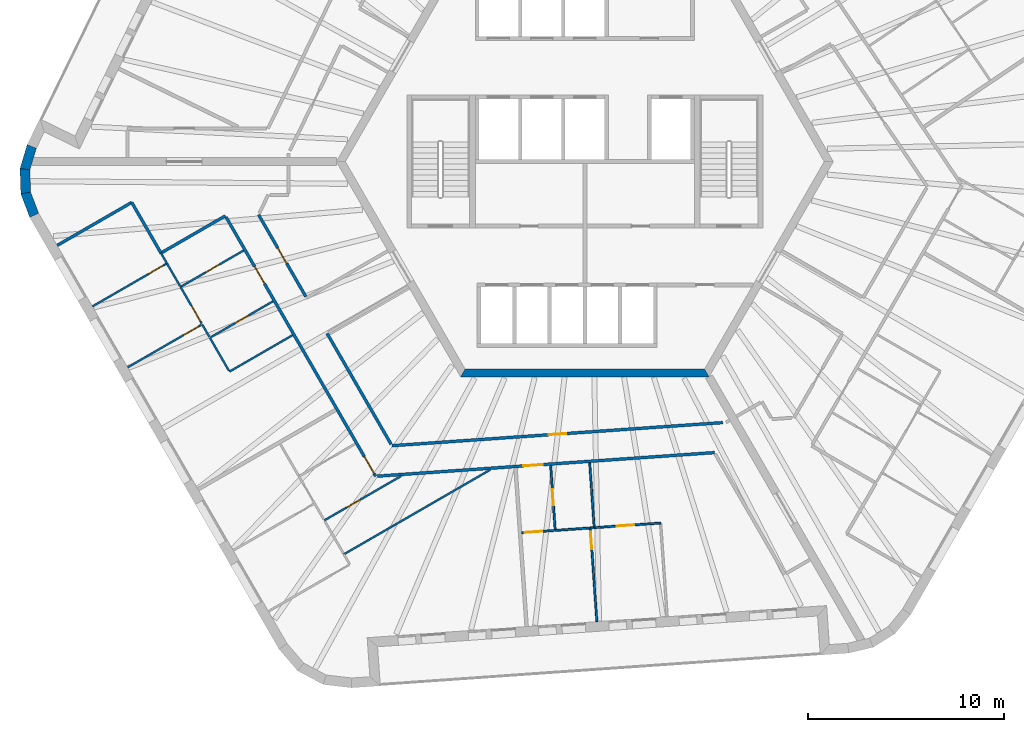
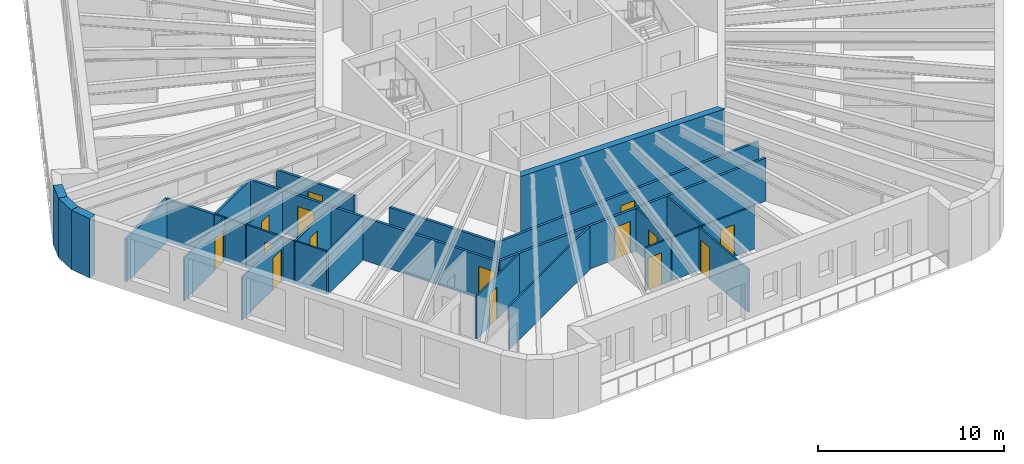
# One storey, part 4 of 12: 31 walls, 15 doors, 15 openings.
"""IFC4 building model written with IfcOpenShell, lengths in metres."""

from ifc_helpers import new_model, si_unit, direction, frame, frame_2d, origin, place, context, subcontext, project, spatial, polyline, rectangle, outline, extrude, material, layer, layer_set, type_object, element, fill, save


model = new_model("IFC4")

# Units and contexts
model_context = context("Model", 3, precision=1e-05, world=origin(), true_north=direction((0.0, 1.0)))
body_context = subcontext(model_context, "Body", "Model", "MODEL_VIEW")
ifc_project = project(units=[si_unit("LENGTHUNIT", "METRE"), si_unit("AREAUNIT", "SQUARE_METRE"), si_unit("VOLUMEUNIT", "CUBIC_METRE"), si_unit("PLANEANGLEUNIT", "RADIAN"), si_unit("MASSUNIT", "GRAM", prefix="KILO")], contexts=[model_context])

# Site, building, storey
site_placement = place(None, origin())
site = spatial("IfcSite", under=ifc_project, at=site_placement, CompositionType="ELEMENT")
building_placement = place(site_placement, origin())
building = spatial("IfcBuilding", under=site, at=building_placement, Name="Tarnside Tower", CompositionType="ELEMENT")
storey_placement = place(building_placement, frame((0.0, 0.0, 264.0)))
storey = spatial("IfcBuildingStorey", under=building, at=storey_placement, Name="L63", CompositionType="ELEMENT", Elevation=264.0)

# Walls
ifc_material_1 = material(Name="Gypsum board partition on steel studs", Category="steel")
ifc_layer_1 = layer(ifc_material_1, 0.10009765625)
ifc_layer_set_1 = layer_set([ifc_layer_1], Name="Bathroom wall 100")
wall_type_1 = type_object("IfcWallType", Name="Bathroom wall 100", PredefinedType="PARTITIONING", material=ifc_layer_set_1)
wall_1_placement = place(storey_placement, frame((-14.940185546875, -8.872802734375, 0.0), z_axis=(0.0, 0.0, 1.0), x_axis=(-0.866056803351, -0.499945610411, 0.0)))
element("IfcWall", 1, at=wall_1_placement, inside=storey, type_object=wall_type_1, Name="Bathroom wall 20109", PredefinedType="PARTITIONING", context=body_context, shape_type="SweptSolid", body=[
    extrude(rectangle(XDim=3.72509765625, YDim=0.10009765625, at=frame_2d((1.862548828125, 0.0))), origin(), (0.0, 0.0, 1.0), 2.823486328125),
])
wall_2_placement = place(storey_placement, frame((-18.191162109375, -10.69189453125, 0.0), z_axis=(0.0, 0.0, 1.0), x_axis=(-0.500043961785, 0.866000020948, 0.0)))
element("IfcWall", 2, at=wall_2_placement, inside=storey, type_object=wall_type_1, Name="Bathroom wall 20110", PredefinedType="PARTITIONING", context=body_context, shape_type="SweptSolid", body=[
    extrude(rectangle(XDim=1.949951171875, YDim=0.10009765625, at=frame_2d((0.97509765625, 0.0))), origin(), (0.0, 0.0, 1.0), 2.823486328125),
])

# Wall, opening, door
wall_3_placement = place(storey_placement, frame((-17.440185546875, -4.54248046875, 0.0), z_axis=(0.0, 0.0, 1.0), x_axis=(-0.866028424924, -0.499994767197, 0.0)))
wall_3 = element("IfcWall", 3, at=wall_3_placement, inside=storey, type_object=wall_type_1, Name="Bathroom wall 20113", PredefinedType="PARTITIONING", context=body_context, shape_type="SweptSolid", body=[
    extrude(rectangle(XDim=3.72509765625, YDim=0.10009765625, at=frame_2d((1.862548828125, 0.0))), origin(), (0.0, 0.0, 1.0), 2.823486328125),
])
opening_1_placement = place(wall_3_placement, frame((1.425048828125, 0.0, 0.0)))
opening_1 = element("IfcOpeningElement", 4, at=opening_1_placement, cuts=wall_3, Name="Opening D-B1", PredefinedType="OPENING", context=body_context, shape_type="SweptSolid", body=[
    extrude(rectangle(XDim=0.800048828125, YDim=2.10009765625, at=frame_2d((0.39990234375, 1.050048828125))), frame((0.0, 0.06005859375, 0.0), z_axis=(0.0, -1.0, 0.0), x_axis=(1.0, 0.0, 0.0)), (0.0, 0.0, 1.0), 0.1201171875),
])
ifc_material_2 = material(Name="Timber door leaf", Category="wood")
door_type_1 = type_object("IfcDoorType", Name="Bathroom door 800", OperationType="NOTDEFINED", PredefinedType="DOOR", material=ifc_material_2)
door_1_placement = place(opening_1_placement, origin())
door_1 = element("IfcDoor", 5, at=door_1_placement, inside=storey, type_object=door_type_1, Name="Bathroom door 20022", OperationType="SINGLE_SWING_RIGHT", OverallHeight=2.10009765625, OverallWidth=0.800048828125, PredefinedType="DOOR", context=body_context, shape_type="SweptSolid", body=[
    extrude(rectangle(XDim=0.800048828125, YDim=2.10009765625, at=frame_2d((0.39990234375, 1.050048828125))), frame((0.0, 0.02490234375, 0.0), z_axis=(0.0, -1.0, 0.0), x_axis=(1.0, 0.0, 0.0)), (0.0, 0.0, 1.0), 0.050048828125),
])
fill(opening_1, door_1)

wall_4_placement = place(storey_placement, frame((-19.122802734375, -8.978271484375, 0.0), z_axis=(0.0, 0.0, 1.0), x_axis=(0.866006363297, 0.500032977642, 0.0)))
wall_4 = element("IfcWall", 6, at=wall_4_placement, inside=storey, type_object=wall_type_1, Name="Bathroom wall 20115", PredefinedType="PARTITIONING", context=body_context, shape_type="SweptSolid", body=[
    extrude(rectangle(XDim=3.675048828125, YDim=0.10009765625, at=frame_2d((1.83740234375, 0.0))), origin(), (0.0, 0.0, 1.0), 2.823486328125),
])
opening_2_placement = place(wall_4_placement, frame((1.449951171875, 0.0, 0.0)))
opening_2 = element("IfcOpeningElement", 7, at=opening_2_placement, cuts=wall_4, Name="Opening D-B1", PredefinedType="OPENING", context=body_context, shape_type="SweptSolid", body=[
    extrude(rectangle(XDim=0.800048828125, YDim=2.10009765625, at=frame_2d((0.39990234375, 1.050048828125))), frame((0.0, 0.06005859375, 0.0), z_axis=(0.0, -1.0, 0.0), x_axis=(1.0, 0.0, 0.0)), (0.0, 0.0, 1.0), 0.1201171875),
])
door_2_placement = place(opening_2_placement, origin())
door_2 = element("IfcDoor", 8, at=door_2_placement, inside=storey, type_object=door_type_1, Name="Bathroom door 20031", OperationType="SINGLE_SWING_LEFT", OverallHeight=2.10009765625, OverallWidth=0.800048828125, PredefinedType="DOOR", context=body_context, shape_type="SweptSolid", body=[
    extrude(rectangle(XDim=0.800048828125, YDim=2.10009765625, at=frame_2d((0.39990234375, 1.050048828125))), frame((0.0, 0.02490234375, 0.0), z_axis=(0.0, -1.0, 0.0), x_axis=(1.0, 0.0, 0.0)), (0.0, 0.0, 1.0), 0.050048828125),
])
fill(opening_2, door_2)

# Walls
wall_5_placement = place(storey_placement, frame((-21.667236328125, -4.67138671875, 0.0), z_axis=(0.0, 0.0, 1.0), x_axis=(0.499952348839, -0.866052913447, 0.0)))
element("IfcWall", 9, at=wall_5_placement, inside=storey, type_object=wall_type_1, Name="Bathroom wall 20116", PredefinedType="PARTITIONING", context=body_context, shape_type="SweptSolid", body=[
    extrude(rectangle(XDim=0.61279296875, YDim=0.10009765625, at=frame_2d((0.306396484375, 0.0))), origin(), (0.0, 0.0, 1.0), 2.823486328125),
])
wall_6_placement = place(storey_placement, frame((-21.36083984375, -5.2021484375, 0.0), z_axis=(0.0, 0.0, 1.0), x_axis=(0.500074377092, -0.865982457891, 0.0)))
element("IfcWall", 10, at=wall_6_placement, inside=storey, type_object=wall_type_1, Name="Bathroom wall 20117", PredefinedType="PARTITIONING", context=body_context, shape_type="SweptSolid", body=[
    extrude(rectangle(XDim=1.341064453125, YDim=0.10009765625, at=frame_2d((0.67041015625, 0.0))), origin(), (0.0, 0.0, 1.0), 2.823486328125),
])
wall_7_placement = place(storey_placement, frame((-4.830810546875, -15.750244140625, 0.0), z_axis=(0.0, 0.0, 1.0), x_axis=(-0.866012441049, -0.500022451445, 0.0)))
element("IfcWall", 11, at=wall_7_placement, inside=storey, type_object=wall_type_1, Name="Bathroom wall 20121", PredefinedType="PARTITIONING", context=body_context, shape_type="SweptSolid", body=[
    extrude(rectangle(XDim=8.64111328125, YDim=0.10009765625, at=frame_2d((4.320556640625, 0.0))), origin(), (0.0, 0.0, 1.0), 2.823486328125),
])

# Wall, opening, door
wall_8_placement = place(storey_placement, frame((-13.314208984375, -18.3388671875, 0.0), z_axis=(0.0, 0.0, 1.0), x_axis=(0.866020827114, 0.500007926942, 0.0)))
wall_8 = element("IfcWall", 12, at=wall_8_placement, inside=storey, type_object=wall_type_1, Name="Bathroom wall 20127", PredefinedType="PARTITIONING", context=body_context, shape_type="SweptSolid", body=[
    extrude(rectangle(XDim=4.54052734375, YDim=0.10009765625, at=frame_2d((2.270263671875, 0.0))), origin(), (0.0, 0.0, 1.0), 2.823486328125),
])
opening_3_placement = place(wall_8_placement, frame((1.300048828125, 0.0, 0.0)))
opening_3 = element("IfcOpeningElement", 13, at=opening_3_placement, cuts=wall_8, Name="Opening D-B1", PredefinedType="OPENING", context=body_context, shape_type="SweptSolid", body=[
    extrude(rectangle(XDim=0.800048828125, YDim=2.10009765625, at=frame_2d((0.39990234375, 1.050048828125))), frame((0.0, 0.06005859375, 0.0), z_axis=(0.0, -1.0, 0.0), x_axis=(1.0, 0.0, 0.0)), (0.0, 0.0, 1.0), 0.1201171875),
])
door_3_placement = place(opening_3_placement, origin())
door_3 = element("IfcDoor", 14, at=door_3_placement, inside=storey, type_object=door_type_1, Name="Bathroom door 20041", OperationType="SINGLE_SWING_RIGHT", OverallHeight=2.10009765625, OverallWidth=0.800048828125, PredefinedType="DOOR", context=body_context, shape_type="SweptSolid", body=[
    extrude(rectangle(XDim=0.800048828125, YDim=2.10009765625, at=frame_2d((0.39990234375, 1.050048828125))), frame((0.0, 0.02490234375, 0.0), z_axis=(0.0, -1.0, 0.0), x_axis=(1.0, 0.0, 0.0)), (0.0, 0.0, 1.0), 0.050048828125),
])
fill(opening_3, door_3)

# Wall
wall_9_placement = place(storey_placement, frame((0.249755859375, -15.39501953125, 0.0), z_axis=(0.0, 0.0, 1.0), x_axis=(0.069754598287, -0.997564181403, 0.0)))
element("IfcWall", 15, at=wall_9_placement, inside=storey, type_object=wall_type_1, Name="Bathroom wall 20131", PredefinedType="PARTITIONING", context=body_context, shape_type="SweptSolid", body=[
    extrude(rectangle(XDim=3.324951171875, YDim=0.10009765625, at=frame_2d((1.66259765625, 0.0))), origin(), (0.0, 0.0, 1.0), 2.823486328125),
])

# Wall, opening, door
wall_10_placement = place(storey_placement, frame((-1.513427734375, -18.8515625, 0.0), z_axis=(0.0, 0.0, 1.0), x_axis=(-0.069754598287, 0.997564181403, 0.0)))
wall_10 = element("IfcWall", 16, at=wall_10_placement, inside=storey, type_object=wall_type_1, Name="Bathroom wall 20134", PredefinedType="PARTITIONING", context=body_context, shape_type="SweptSolid", body=[
    extrude(rectangle(XDim=3.324951171875, YDim=0.10009765625, at=frame_2d((1.66259765625, 0.0))), origin(), (0.0, 0.0, 1.0), 2.823486328125),
])
opening_4_placement = place(wall_10_placement, frame((1.300048828125, 0.0, 0.0)))
opening_4 = element("IfcOpeningElement", 17, at=opening_4_placement, cuts=wall_10, Name="Opening D-B1", PredefinedType="OPENING", context=body_context, shape_type="SweptSolid", body=[
    extrude(rectangle(XDim=0.800048828125, YDim=2.10009765625, at=frame_2d((0.39990234375, 1.050048828125))), frame((0.0, 0.06005859375, 0.0), z_axis=(0.0, -1.0, 0.0), x_axis=(1.0, 0.0, 0.0)), (0.0, 0.0, 1.0), 0.1201171875),
])
door_4_placement = place(opening_4_placement, origin())
door_4 = element("IfcDoor", 18, at=door_4_placement, inside=storey, type_object=door_type_1, Name="Bathroom door 20043", OperationType="SINGLE_SWING_LEFT", OverallHeight=2.10009765625, OverallWidth=0.800048828125, PredefinedType="DOOR", context=body_context, shape_type="SweptSolid", body=[
    extrude(rectangle(XDim=0.800048828125, YDim=2.10009765625, at=frame_2d((0.39990234375, 1.050048828125))), frame((0.0, 0.02490234375, 0.0), z_axis=(0.0, -1.0, 0.0), x_axis=(1.0, 0.0, 0.0)), (0.0, 0.0, 1.0), 0.050048828125),
])
fill(opening_4, door_4)

# Walls
wall_11_placement = place(storey_placement, frame((-1.515380859375, -18.8515625, 0.0), z_axis=(0.0, 0.0, 1.0), x_axis=(0.997562835018, 0.069773850337, 0.0)))
element("IfcWall", 19, at=wall_11_placement, inside=storey, type_object=wall_type_1, Name="Bathroom wall 20136", PredefinedType="PARTITIONING", context=body_context, shape_type="SweptSolid", body=[
    extrude(rectangle(XDim=1.802001953125, YDim=0.10009765625, at=frame_2d((0.90087890625, 0.0))), origin(), (0.0, 0.0, 1.0), 2.823486328125),
])
wall_12_placement = place(storey_placement, frame((0.2822265625, -18.725830078125, 0.0), z_axis=(0.0, 0.0, 1.0), x_axis=(0.997611278984, 0.069077753617, 0.0)))
element("IfcWall", 20, at=wall_12_placement, inside=storey, type_object=wall_type_1, Name="Bathroom wall 20137", PredefinedType="PARTITIONING", context=body_context, shape_type="SweptSolid", body=[
    extrude(rectangle(XDim=0.15185546875, YDim=0.10009765625, at=frame_2d((0.075927734375, 0.0))), origin(), (0.0, 0.0, 1.0), 2.823486328125),
])
ifc_material_3 = material(Name="Concrete C60/75", Category="concrete")
ifc_layer_2 = layer(ifc_material_3, 0.39990234375)
ifc_layer_set_2 = layer_set([ifc_layer_2], Name="Core wall Z3 400 C60/75")
wall_type_2 = type_object("IfcWallType", Name="Core wall Z3 400 C60/75", PredefinedType="SHEAR", material=ifc_layer_set_2)
wall_13_placement = place(storey_placement, frame((-6.2353515625, -10.800048828125, -0.14990234375), z_axis=(0.0, 0.0, 1.0), x_axis=(1.0, 0.0, 0.0)))
element("IfcWall", 21, at=wall_13_placement, inside=storey, type_object=wall_type_2, Name="L63 core wall face 4", PredefinedType="SHEAR", context=body_context, shape_type="SweptSolid", body=[
    extrude(outline(polyline([(-0.115478515625, -0.199951171875), (12.586181640625, -0.199951171875), (12.355224609375, 0.199951171875), (0.115478515625, 0.199951171875), (-0.115478515625, -0.199951171875)])), origin(), (0.0, 0.0, 1.0), 3.89990234375),
])

# Wall, openings, doors
ifc_layer_3 = layer(ifc_material_1, 0.14990234375)
ifc_layer_set_3 = layer_set([ifc_layer_3], Name="Corridor wall 150 EI 60")
wall_type_3 = type_object("IfcWallType", Name="Corridor wall 150 EI 60", PredefinedType="PARTITIONING", material=ifc_layer_set_3)
wall_14_placement = place(storey_placement, frame((-18.337890625, -2.837890625, 0.0), z_axis=(0.0, 0.0, 1.0), x_axis=(0.499999693481, -0.866025580753, 0.0)))
wall_14 = element("IfcWall", 22, at=wall_14_placement, inside=storey, type_object=wall_type_3, Name="Corridor wall 20026", PredefinedType="PARTITIONING", context=body_context, shape_type="SweptSolid", body=[
    extrude(rectangle(XDim=15.29638671875, YDim=0.14990234375, at=frame_2d((7.648193359375, 0.0))), origin(), (0.0, 0.0, 1.0), 2.823486328125),
])
opening_5_placement = place(wall_14_placement, frame((2.925048828125, 0.0, 0.0)))
opening_5 = element("IfcOpeningElement", 23, at=opening_5_placement, cuts=wall_14, Name="Opening D-E1", PredefinedType="OPENING", context=body_context, shape_type="SweptSolid", body=[
    extrude(rectangle(XDim=1.0, YDim=2.10009765625, at=frame_2d((0.5, 1.050048828125))), frame((0.0, 0.0849609375, 0.0), z_axis=(0.0, -1.0, 0.0), x_axis=(1.0, 0.0, 0.0)), (0.0, 0.0, 1.0), 0.169921875),
])
opening_6_placement = place(wall_14_placement, frame((14.135986328125, 0.0, 0.0)))
opening_6 = element("IfcOpeningElement", 24, at=opening_6_placement, cuts=wall_14, Name="Opening D-E1", PredefinedType="OPENING", context=body_context, shape_type="SweptSolid", body=[
    extrude(rectangle(XDim=1.0, YDim=2.10009765625, at=frame_2d((0.5, 1.050048828125))), frame((0.0, 0.0849609375, 0.0), z_axis=(0.0, -1.0, 0.0), x_axis=(1.0, 0.0, 0.0)), (0.0, 0.0, 1.0), 0.169921875),
])
door_type_2 = type_object("IfcDoorType", Name="Unit entrance door 1000 FD30S", OperationType="NOTDEFINED", PredefinedType="DOOR", material=ifc_material_2)
door_5_placement = place(opening_5_placement, origin())
door_5 = element("IfcDoor", 25, at=door_5_placement, inside=storey, type_object=door_type_2, Name="Unit door 20021", OperationType="SINGLE_SWING_RIGHT", OverallHeight=2.10009765625, OverallWidth=1.0, PredefinedType="DOOR", context=body_context, shape_type="SweptSolid", body=[
    extrude(rectangle(XDim=1.0, YDim=2.10009765625, at=frame_2d((0.5, 1.050048828125))), frame((0.0, 0.02490234375, 0.0), z_axis=(0.0, -1.0, 0.0), x_axis=(1.0, 0.0, 0.0)), (0.0, 0.0, 1.0), 0.050048828125),
])
fill(opening_5, door_5)
door_6_placement = place(opening_6_placement, origin())
door_6 = element("IfcDoor", 26, at=door_6_placement, inside=storey, type_object=door_type_2, Name="Unit door 20032", OperationType="SINGLE_SWING_LEFT", OverallHeight=2.10009765625, OverallWidth=1.0, PredefinedType="DOOR", context=body_context, shape_type="SweptSolid", body=[
    extrude(rectangle(XDim=1.0, YDim=2.10009765625, at=frame_2d((0.5, 1.050048828125))), frame((0.0, 0.02490234375, 0.0), z_axis=(0.0, -1.0, 0.0), x_axis=(1.0, 0.0, 0.0)), (0.0, 0.0, 1.0), 0.050048828125),
])
fill(opening_6, door_6)

# Walls
wall_15_placement = place(storey_placement, frame((-21.666259765625, -4.673095703125, 0.0), z_axis=(0.0, 0.0, 1.0), x_axis=(0.86601654697, 0.500015340139, 0.0)))
element("IfcWall", 27, at=wall_15_placement, inside=storey, type_object=wall_type_3, Name="Corridor wall 20028", PredefinedType="PARTITIONING", context=body_context, shape_type="SweptSolid", body=[
    extrude(rectangle(XDim=3.80029296875, YDim=0.14990234375, at=frame_2d((1.900146484375, 0.0))), origin(), (0.0, 0.0, 1.0), 2.823486328125),
])
wall_16_placement = place(storey_placement, frame((-26.97119140625, -4.284423828125, 0.0), z_axis=(0.0, 0.0, 1.0), x_axis=(0.866010893236, 0.500025132165, 0.0)))
element("IfcWall", 28, at=wall_16_placement, inside=storey, type_object=wall_type_3, Name="Corridor wall 20030", PredefinedType="PARTITIONING", context=body_context, shape_type="SweptSolid", body=[
    extrude(rectangle(XDim=4.398681640625, YDim=0.14990234375, at=frame_2d((2.19921875, 0.0))), origin(), (0.0, 0.0, 1.0), 2.823486328125),
])
wall_17_placement = place(storey_placement, frame((-23.16015625, -2.08544921875, 0.0), z_axis=(0.0, 0.0, 1.0), x_axis=(0.499983857782, -0.866034723298, 0.0)))
element("IfcWall", 29, at=wall_17_placement, inside=storey, type_object=wall_type_3, Name="Corridor wall 20031", PredefinedType="PARTITIONING", context=body_context, shape_type="SweptSolid", body=[
    extrude(rectangle(XDim=2.9912109375, YDim=0.14990234375, at=frame_2d((1.49560546875, 0.0))), origin(), (0.0, 0.0, 1.0), 2.823486328125),
])

# Wall, opening, door
wall_18_placement = place(storey_placement, frame((-10.6064453125, -16.0791015625, 0.0), z_axis=(0.0, 0.0, 1.0), x_axis=(0.997563356349, 0.069766396426, 0.0)))
wall_18 = element("IfcWall", 30, at=wall_18_placement, inside=storey, type_object=wall_type_3, Name="Corridor wall 20033", PredefinedType="PARTITIONING", context=body_context, shape_type="SweptSolid", body=[
    extrude(rectangle(XDim=17.27294921875, YDim=0.14990234375, at=frame_2d((8.636474609375, 0.0))), origin(), (0.0, 0.0, 1.0), 2.823486328125),
])
opening_7_placement = place(wall_18_placement, frame((7.4775390625, 0.0, 0.0)))
opening_7 = element("IfcOpeningElement", 31, at=opening_7_placement, cuts=wall_18, Name="Opening D-E1", PredefinedType="OPENING", context=body_context, shape_type="SweptSolid", body=[
    extrude(rectangle(XDim=1.0, YDim=2.10009765625, at=frame_2d((0.5, 1.050048828125))), frame((0.0, 0.0849609375, 0.0), z_axis=(0.0, -1.0, 0.0), x_axis=(1.0, 0.0, 0.0)), (0.0, 0.0, 1.0), 0.169921875),
])
door_7_placement = place(opening_7_placement, origin())
door_7 = element("IfcDoor", 32, at=door_7_placement, inside=storey, type_object=door_type_2, Name="Unit door 20042", OperationType="SINGLE_SWING_RIGHT", OverallHeight=2.10009765625, OverallWidth=1.0, PredefinedType="DOOR", context=body_context, shape_type="SweptSolid", body=[
    extrude(rectangle(XDim=1.0, YDim=2.10009765625, at=frame_2d((0.5, 1.050048828125))), frame((0.0, 0.02490234375, 0.0), z_axis=(0.0, -1.0, 0.0), x_axis=(1.0, 0.0, 0.0)), (0.0, 0.0, 1.0), 0.050048828125),
])
fill(opening_7, door_7)

wall_19_placement = place(storey_placement, frame((-14.26025390625, -6.900634765625, 0.0), z_axis=(0.0, 0.0, 1.0), x_axis=(-0.499978899972, 0.866037585549, 0.0)))
wall_19 = element("IfcWall", 33, at=wall_19_placement, inside=storey, type_object=wall_type_3, Name="Corridor wall 20044", PredefinedType="PARTITIONING", context=body_context, shape_type="SweptSolid", body=[
    extrude(rectangle(XDim=4.834716796875, YDim=0.14990234375, at=frame_2d((2.41748046875, 0.0))), origin(), (0.0, 0.0, 1.0), 2.823486328125),
])
opening_8_placement = place(wall_19_placement, frame((1.96728515625, 0.0, 0.0)))
opening_8 = element("IfcOpeningElement", 34, at=opening_8_placement, cuts=wall_19, Name="Opening D-S1", PredefinedType="OPENING", context=body_context, shape_type="SweptSolid", body=[
    extrude(rectangle(XDim=0.89990234375, YDim=2.10009765625, at=frame_2d((0.449951171875, 1.050048828125))), frame((0.0, 0.0849609375, 0.0), z_axis=(0.0, -1.0, 0.0), x_axis=(1.0, 0.0, 0.0)), (0.0, 0.0, 1.0), 0.169921875),
])
door_type_3 = type_object("IfcDoorType", Name="Service room door 900 FD30S", OperationType="NOTDEFINED", PredefinedType="DOOR", material=ifc_material_2)
door_8_placement = place(opening_8_placement, origin())
door_8 = element("IfcDoor", 35, at=door_8_placement, inside=storey, type_object=door_type_3, Name="Service door 20073", OperationType="SINGLE_SWING_RIGHT", OverallHeight=2.10009765625, OverallWidth=0.89990234375, PredefinedType="DOOR", context=body_context, shape_type="SweptSolid", body=[
    extrude(rectangle(XDim=0.89990234375, YDim=2.10009765625, at=frame_2d((0.449951171875, 1.050048828125))), frame((0.0, 0.02490234375, 0.0), z_axis=(0.0, -1.0, 0.0), x_axis=(1.0, 0.0, 0.0)), (0.0, 0.0, 1.0), 0.050048828125),
])
fill(opening_8, door_8)

wall_20_placement = place(storey_placement, frame((7.05126953125, -13.340576171875, 0.0), z_axis=(0.0, 0.0, 1.0), x_axis=(-0.997563599815, -0.069762915103, 0.0)))
wall_20 = element("IfcWall", 36, at=wall_20_placement, inside=storey, type_object=wall_type_3, Name="Corridor wall 20049", PredefinedType="PARTITIONING", context=body_context, shape_type="SweptSolid", body=[
    extrude(rectangle(XDim=16.951904296875, YDim=0.14990234375, at=frame_2d((8.47607421875, 0.0))), origin(), (0.0, 0.0, 1.0), 2.823486328125),
])
opening_9_placement = place(wall_20_placement, frame((8.02587890625, 0.0, 0.0)))
opening_9 = element("IfcOpeningElement", 37, at=opening_9_placement, cuts=wall_20, Name="Opening D-S1", PredefinedType="OPENING", context=body_context, shape_type="SweptSolid", body=[
    extrude(rectangle(XDim=0.89990234375, YDim=2.10009765625, at=frame_2d((0.449951171875, 1.050048828125))), frame((0.0, 0.0849609375, 0.0), z_axis=(0.0, -1.0, 0.0), x_axis=(1.0, 0.0, 0.0)), (0.0, 0.0, 1.0), 0.169921875),
])
door_9_placement = place(opening_9_placement, origin())
door_9 = element("IfcDoor", 38, at=door_9_placement, inside=storey, type_object=door_type_3, Name="Service door 20074", OperationType="SINGLE_SWING_LEFT", OverallHeight=2.10009765625, OverallWidth=0.89990234375, PredefinedType="DOOR", context=body_context, shape_type="SweptSolid", body=[
    extrude(rectangle(XDim=0.89990234375, YDim=2.10009765625, at=frame_2d((0.449951171875, 1.050048828125))), frame((0.0, 0.02490234375, 0.0), z_axis=(0.0, -1.0, 0.0), x_axis=(1.0, 0.0, 0.0)), (0.0, 0.0, 1.0), 0.050048828125),
])
fill(opening_9, door_9)

# Walls
wall_21_placement = place(storey_placement, frame((-9.901123046875, -14.450927734375, 0.0), z_axis=(0.0, 0.0, 1.0), x_axis=(-0.49999161165, 0.866030246746, 0.0)))
element("IfcWall", 39, at=wall_21_placement, inside=storey, type_object=wall_type_3, Name="Corridor wall 20050", PredefinedType="PARTITIONING", context=body_context, shape_type="SweptSolid", body=[
    extrude(rectangle(XDim=6.54296875, YDim=0.14990234375, at=frame_2d((3.271484375, 0.0))), origin(), (0.0, 0.0, 1.0), 2.823486328125),
])
ifc_layer_4 = layer(ifc_material_1, 0.10009765625)
ifc_layer_set_4 = layer_set([ifc_layer_4], Name="Partition 100")
wall_type_4 = type_object("IfcWallType", Name="Partition 100", PredefinedType="PARTITIONING", material=ifc_layer_set_4)
wall_22_placement = place(storey_placement, frame((-19.191162109375, -8.9599609375, 0.0), z_axis=(0.0, 0.0, 1.0), x_axis=(-0.500036104519, 0.866004557827, 0.0)))
element("IfcWall", 40, at=wall_22_placement, inside=storey, type_object=wall_type_4, Name="Partition wall 20107", PredefinedType="PARTITIONING", context=body_context, shape_type="SweptSolid", body=[
    extrude(rectangle(XDim=0.7412109375, YDim=0.10009765625, at=frame_2d((0.37060546875, 0.0))), origin(), (0.0, 0.0, 1.0), 2.823486328125),
])

# Wall, opening, door
wall_23_placement = place(storey_placement, frame((-19.60400390625, -8.3447265625, 0.0), z_axis=(0.0, 0.0, 1.0), x_axis=(-0.866027639635, -0.499996127374, 0.0)))
wall_23 = element("IfcWall", 41, at=wall_23_placement, inside=storey, type_object=wall_type_4, Name="Partition wall 20108", PredefinedType="PARTITIONING", context=body_context, shape_type="SweptSolid", body=[
    extrude(rectangle(XDim=4.35009765625, YDim=0.10009765625, at=frame_2d((2.175048828125, 0.0))), origin(), (0.0, 0.0, 1.0), 2.823486328125),
])
opening_10_placement = place(wall_23_placement, frame((0.14990234375, 0.0, 0.0)))
opening_10 = element("IfcOpeningElement", 42, at=opening_10_placement, cuts=wall_23, Name="Opening D-I1", PredefinedType="OPENING", context=body_context, shape_type="SweptSolid", body=[
    extrude(rectangle(XDim=0.89990234375, YDim=2.10009765625, at=frame_2d((0.449951171875, 1.050048828125))), frame((0.0, 0.06005859375, 0.0), z_axis=(0.0, -1.0, 0.0), x_axis=(1.0, 0.0, 0.0)), (0.0, 0.0, 1.0), 0.1201171875),
])
door_type_4 = type_object("IfcDoorType", Name="Internal door 900", OperationType="NOTDEFINED", PredefinedType="DOOR", material=ifc_material_2)
door_10_placement = place(opening_10_placement, origin())
door_10 = element("IfcDoor", 43, at=door_10_placement, inside=storey, type_object=door_type_4, Name="Internal door 20030", OperationType="SINGLE_SWING_RIGHT", OverallHeight=2.10009765625, OverallWidth=0.89990234375, PredefinedType="DOOR", context=body_context, shape_type="SweptSolid", body=[
    extrude(rectangle(XDim=0.89990234375, YDim=2.10009765625, at=frame_2d((0.449951171875, 1.050048828125))), frame((0.0, 0.02490234375, 0.0), z_axis=(0.0, -1.0, 0.0), x_axis=(1.0, 0.0, 0.0)), (0.0, 0.0, 1.0), 0.050048828125),
])
fill(opening_10, door_10)

wall_24_placement = place(storey_placement, frame((-20.667236328125, -6.4033203125, 0.0), z_axis=(0.0, 0.0, 1.0), x_axis=(0.499999270699, -0.866025824846, 0.0)))
wall_24 = element("IfcWall", 44, at=wall_24_placement, inside=storey, type_object=wall_type_4, Name="Partition wall 20114", PredefinedType="PARTITIONING", context=body_context, shape_type="SweptSolid", body=[
    extrude(rectangle(XDim=2.1630859375, YDim=0.10009765625, at=frame_2d((1.08154296875, 0.0))), origin(), (0.0, 0.0, 1.0), 2.823486328125),
])
opening_11_placement = place(wall_24_placement, frame((1.113037109375, 0.0, 0.0)))
opening_11 = element("IfcOpeningElement", 45, at=opening_11_placement, cuts=wall_24, Name="Opening D-I1", PredefinedType="OPENING", context=body_context, shape_type="SweptSolid", body=[
    extrude(rectangle(XDim=0.89990234375, YDim=2.10009765625, at=frame_2d((0.449951171875, 1.050048828125))), frame((0.0, 0.06005859375, 0.0), z_axis=(0.0, -1.0, 0.0), x_axis=(1.0, 0.0, 0.0)), (0.0, 0.0, 1.0), 0.1201171875),
])
door_11_placement = place(opening_11_placement, origin())
door_11 = element("IfcDoor", 46, at=door_11_placement, inside=storey, type_object=door_type_4, Name="Internal door 20025", OperationType="SINGLE_SWING_RIGHT", OverallHeight=2.10009765625, OverallWidth=0.89990234375, PredefinedType="DOOR", context=body_context, shape_type="SweptSolid", body=[
    extrude(rectangle(XDim=0.89990234375, YDim=2.10009765625, at=frame_2d((0.449951171875, 1.050048828125))), frame((0.0, 0.02490234375, 0.0), z_axis=(0.0, -1.0, 0.0), x_axis=(1.0, 0.0, 0.0)), (0.0, 0.0, 1.0), 0.050048828125),
])
fill(opening_11, door_11)

wall_25_placement = place(storey_placement, frame((-25.171142578125, -7.402099609375, 0.0), z_axis=(0.0, 0.0, 1.0), x_axis=(0.866013608182, 0.500020430026, 0.0)))
wall_25 = element("IfcWall", 47, at=wall_25_placement, inside=storey, type_object=wall_type_4, Name="Partition wall 20118", PredefinedType="PARTITIONING", context=body_context, shape_type="SweptSolid", body=[
    extrude(rectangle(XDim=4.349853515625, YDim=0.10009765625, at=frame_2d((2.1748046875, 0.0))), origin(), (0.0, 0.0, 1.0), 2.823486328125),
])
opening_12_placement = place(wall_25_placement, frame((3.300048828125, 0.0, 0.0)))
opening_12 = element("IfcOpeningElement", 48, at=opening_12_placement, cuts=wall_25, Name="Opening D-I1", PredefinedType="OPENING", context=body_context, shape_type="SweptSolid", body=[
    extrude(rectangle(XDim=0.89990234375, YDim=2.10009765625, at=frame_2d((0.449951171875, 1.050048828125))), frame((0.0, 0.06005859375, 0.0), z_axis=(0.0, -1.0, 0.0), x_axis=(1.0, 0.0, 0.0)), (0.0, 0.0, 1.0), 0.1201171875),
])
door_12_placement = place(opening_12_placement, origin())
door_12 = element("IfcDoor", 49, at=door_12_placement, inside=storey, type_object=door_type_4, Name="Internal door 20028", OperationType="SINGLE_SWING_RIGHT", OverallHeight=2.10009765625, OverallWidth=0.89990234375, PredefinedType="DOOR", context=body_context, shape_type="SweptSolid", body=[
    extrude(rectangle(XDim=0.89990234375, YDim=2.10009765625, at=frame_2d((0.449951171875, 1.050048828125))), frame((0.0, 0.02490234375, 0.0), z_axis=(0.0, -1.0, 0.0), x_axis=(1.0, 0.0, 0.0)), (0.0, 0.0, 1.0), 0.050048828125),
])
fill(opening_12, door_12)

wall_26_placement = place(storey_placement, frame((0.479736328125, -18.712158203125, 0.0), z_axis=(0.0, 0.0, 1.0), x_axis=(0.997564312984, 0.069752716511, 0.0)))
wall_26 = element("IfcWall", 50, at=wall_26_placement, inside=storey, type_object=wall_type_4, Name="Partition wall 20132", PredefinedType="PARTITIONING", context=body_context, shape_type="SweptSolid", body=[
    extrude(rectangle(XDim=3.402099609375, YDim=0.10009765625, at=frame_2d((1.701171875, 0.0))), origin(), (0.0, 0.0, 1.0), 2.823486328125),
])
opening_13_placement = place(wall_26_placement, frame((1.152099609375, 0.0, 0.0)))
opening_13 = element("IfcOpeningElement", 51, at=opening_13_placement, cuts=wall_26, Name="Opening D-I1", PredefinedType="OPENING", context=body_context, shape_type="SweptSolid", body=[
    extrude(rectangle(XDim=0.89990234375, YDim=2.10009765625, at=frame_2d((0.449951171875, 1.050048828125))), frame((0.0, 0.06005859375, 0.0), z_axis=(0.0, -1.0, 0.0), x_axis=(1.0, 0.0, 0.0)), (0.0, 0.0, 1.0), 0.1201171875),
])
door_13_placement = place(opening_13_placement, origin())
door_13 = element("IfcDoor", 52, at=door_13_placement, inside=storey, type_object=door_type_4, Name="Internal door 20049", OperationType="SINGLE_SWING_RIGHT", OverallHeight=2.10009765625, OverallWidth=0.89990234375, PredefinedType="DOOR", context=body_context, shape_type="SweptSolid", body=[
    extrude(rectangle(XDim=0.89990234375, YDim=2.10009765625, at=frame_2d((0.449951171875, 1.050048828125))), frame((0.0, 0.02490234375, 0.0), z_axis=(0.0, -1.0, 0.0), x_axis=(1.0, 0.0, 0.0)), (0.0, 0.0, 1.0), 0.050048828125),
])
fill(opening_13, door_13)

wall_27_placement = place(storey_placement, frame((-3.21923828125, -18.970703125, 0.0), z_axis=(0.0, 0.0, 1.0), x_axis=(0.9975627517, 0.069775041534, 0.0)))
wall_27 = element("IfcWall", 53, at=wall_27_placement, inside=storey, type_object=wall_type_4, Name="Partition wall 20135", PredefinedType="PARTITIONING", context=body_context, shape_type="SweptSolid", body=[
    extrude(rectangle(XDim=1.662109375, YDim=0.10009765625, at=frame_2d((0.8310546875, 0.0))), origin(), (0.0, 0.0, 1.0), 2.823486328125),
])
opening_14_placement = place(wall_27_placement, frame((0.14990234375, 0.0, 0.0)))
opening_14 = element("IfcOpeningElement", 54, at=opening_14_placement, cuts=wall_27, Name="Opening D-I1", PredefinedType="OPENING", context=body_context, shape_type="SweptSolid", body=[
    extrude(rectangle(XDim=0.89990234375, YDim=2.10009765625, at=frame_2d((0.449951171875, 1.050048828125))), frame((0.0, 0.06005859375, 0.0), z_axis=(0.0, -1.0, 0.0), x_axis=(1.0, 0.0, 0.0)), (0.0, 0.0, 1.0), 0.1201171875),
])
door_14_placement = place(opening_14_placement, origin())
door_14 = element("IfcDoor", 55, at=door_14_placement, inside=storey, type_object=door_type_4, Name="Internal door 20045", OperationType="SINGLE_SWING_LEFT", OverallHeight=2.10009765625, OverallWidth=0.89990234375, PredefinedType="DOOR", context=body_context, shape_type="SweptSolid", body=[
    extrude(rectangle(XDim=0.89990234375, YDim=2.10009765625, at=frame_2d((0.449951171875, 1.050048828125))), frame((0.0, 0.02490234375, 0.0), z_axis=(0.0, -1.0, 0.0), x_axis=(1.0, 0.0, 0.0)), (0.0, 0.0, 1.0), 0.050048828125),
])
fill(opening_14, door_14)

wall_28_placement = place(storey_placement, frame((0.616943359375, -23.51416015625, 0.0), z_axis=(0.0, 0.0, 1.0), x_axis=(-0.069749334994, 0.997564549424, 0.0)))
wall_28 = element("IfcWall", 56, at=wall_28_placement, inside=storey, type_object=wall_type_4, Name="Partition wall 20138", PredefinedType="PARTITIONING", context=body_context, shape_type="SweptSolid", body=[
    extrude(rectangle(XDim=4.749755859375, YDim=0.10009765625, at=frame_2d((2.375, 0.0))), origin(), (0.0, 0.0, 1.0), 2.823486328125),
])
opening_15_placement = place(wall_28_placement, frame((3.699951171875, 0.0, 0.0)))
opening_15 = element("IfcOpeningElement", 57, at=opening_15_placement, cuts=wall_28, Name="Opening D-I1", PredefinedType="OPENING", context=body_context, shape_type="SweptSolid", body=[
    extrude(rectangle(XDim=0.89990234375, YDim=2.10009765625, at=frame_2d((0.449951171875, 1.050048828125))), frame((0.0, 0.06005859375, 0.0), z_axis=(0.0, -1.0, 0.0), x_axis=(1.0, 0.0, 0.0)), (0.0, 0.0, 1.0), 0.1201171875),
])
door_15_placement = place(opening_15_placement, origin())
door_15 = element("IfcDoor", 58, at=door_15_placement, inside=storey, type_object=door_type_4, Name="Internal door 20048", OperationType="SINGLE_SWING_RIGHT", OverallHeight=2.10009765625, OverallWidth=0.89990234375, PredefinedType="DOOR", context=body_context, shape_type="SweptSolid", body=[
    extrude(rectangle(XDim=0.89990234375, YDim=2.10009765625, at=frame_2d((0.449951171875, 1.050048828125))), frame((0.0, 0.02490234375, 0.0), z_axis=(0.0, -1.0, 0.0), x_axis=(1.0, 0.0, 0.0)), (0.0, 0.0, 1.0), 0.050048828125),
])
fill(opening_15, door_15)

# Walls
ifc_material_4 = material(Name="Facing brick", Category="masonry")
ifc_layer_5 = layer(ifc_material_4, 0.10205078125)
ifc_material_5 = material(Name="Concrete C60/75 precast", Category="concrete")
ifc_layer_6 = layer(ifc_material_5, 0.298095703125)
ifc_material_6 = material(Name="Mineral wool insulation")
ifc_layer_7 = layer(ifc_material_6, 0.10009765625)
ifc_layer_set_5 = layer_set([ifc_layer_5, ifc_layer_6, ifc_layer_7], Name="Tube wall 500 brick faced")
wall_type_5 = type_object("IfcWallType", Name="Tube wall 500 brick faced", PredefinedType="SOLIDWALL", material=ifc_layer_set_5)
wall_29_placement = place(storey_placement, frame((-28.271728515625, 0.7744140625, -0.14990234375), z_axis=(0.0, 0.0, 1.0), x_axis=(-0.286813843218, -0.957986335674, 0.0)))
element("IfcWall", 59, at=wall_29_placement, inside=storey, type_object=wall_type_5, Name="Tube wall L63 F2 chord 09", PredefinedType="SOLIDWALL", context=body_context, shape_type="SweptSolid", body=[
    extrude(outline(polyline([(-0.0205078125, -0.25), (1.25732421875, -0.25), (1.17529296875, 0.25), (0.0205078125, 0.25), (-0.0205078125, -0.25)])), origin(), (0.0, 0.0, 1.0), 3.89990234375),
])
wall_30_placement = place(storey_placement, frame((-28.62060546875, -0.390869140625, -0.14990234375), z_axis=(0.0, 0.0, 1.0), x_axis=(0.034925456137, -0.999389920158, 0.0)))
element("IfcWall", 60, at=wall_30_placement, inside=storey, type_object=wall_type_5, Name="Tube wall L63 F2 chord 10", PredefinedType="SOLIDWALL", context=body_context, shape_type="SweptSolid", body=[
    extrude(outline(polyline([(-0.041015625, -0.25), (1.25732421875, -0.25), (1.17529296875, 0.25), (0.041015625, 0.25), (-0.041015625, -0.25)])), origin(), (0.0, 0.0, 1.0), 3.89990234375),
])
wall_31_placement = place(storey_placement, frame((-28.578125, -1.6064453125, -0.14990234375), z_axis=(0.0, 0.0, 1.0), x_axis=(0.352838463023, -0.935684251771, 0.0)))
element("IfcWall", 61, at=wall_31_placement, inside=storey, type_object=wall_type_5, Name="Tube wall L63 F2 chord 11", PredefinedType="SOLIDWALL", context=body_context, shape_type="SweptSolid", body=[
    extrude(outline(polyline([(-0.041015625, -0.25), (1.23681640625, -0.25), (1.19580078125, 0.25), (0.041015625, 0.25), (-0.041015625, -0.25)])), origin(), (0.0, 0.0, 1.0), 3.89990234375),
])

save(model, "model.ifc")
